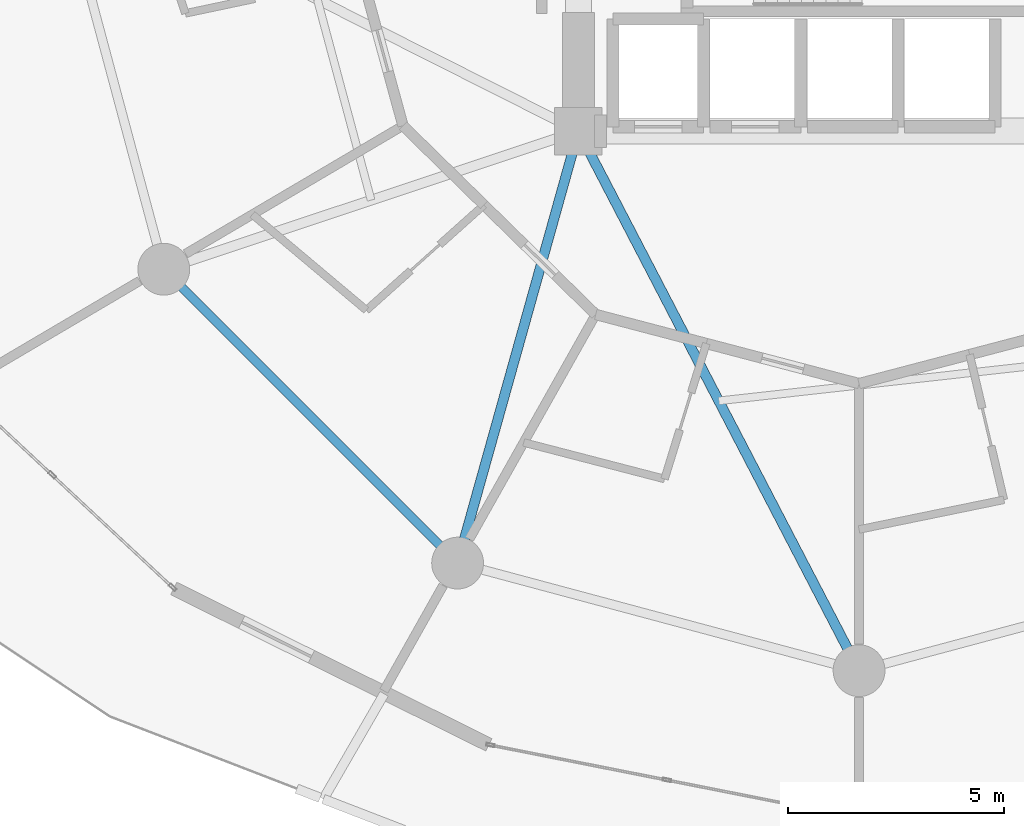
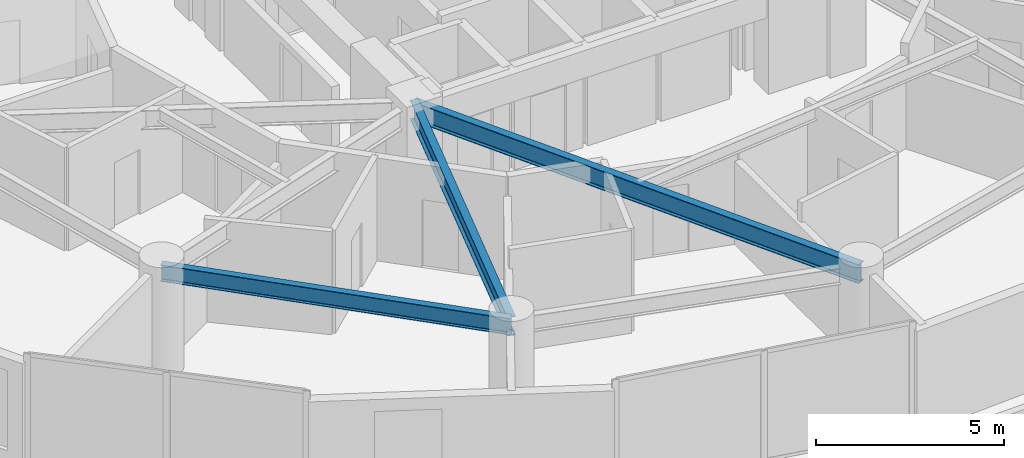
# One storey, part 4 of 25: 3 beams.
"""IFC4 building model written with IfcOpenShell, lengths in metres."""

from ifc_helpers import new_model, si_unit, direction, frame, origin, origin_2d, place, context, subcontext, project, spatial, i_section, extrude, material, material_profile, profile_set, type_object, element, save


model = new_model("IFC4")

# Units and contexts
model_context = context("Model", 3, precision=1e-05, world=origin(), true_north=direction((0.0, 1.0)))
body_context = subcontext(model_context, "Body", "Model", "MODEL_VIEW")
ifc_project = project(units=[si_unit("LENGTHUNIT", "METRE"), si_unit("AREAUNIT", "SQUARE_METRE"), si_unit("VOLUMEUNIT", "CUBIC_METRE"), si_unit("PLANEANGLEUNIT", "RADIAN"), si_unit("MASSUNIT", "GRAM", prefix="KILO")], contexts=[model_context])

# Site, building, storey
site_placement = place(None, origin())
site = spatial("IfcSite", under=ifc_project, at=site_placement, CompositionType="ELEMENT")
building_placement = place(site_placement, origin())
building = spatial("IfcBuilding", under=site, at=building_placement, Name="Solvirekh Grand Hotel", CompositionType="ELEMENT")
storey_placement = place(building_placement, frame((0.0, 0.0, 28.39990234375)))
storey = spatial("IfcBuildingStorey", under=building, at=storey_placement, Name="L05", CompositionType="ELEMENT", Elevation=28.39990234375)

# Beams
ifc_material = material(Name="Steel S355", Category="steel")
ifc_material_profile_1 = material_profile(ifc_material, i_section(OverallWidth=0.22802734375, OverallDepth=0.616943359375, WebThickness=0.012939453125, FlangeThickness=0.02001953125, FilletRadius=0.014892578125, at=origin_2d()), Name="W610X140")
ifc_profile_set_1 = profile_set([ifc_material_profile_1], Name="Steel S355")
beam_type_1 = type_object("IfcBeamType", Name="Beam_Radial_W610", PredefinedType="BEAM", material=ifc_profile_set_1)
beam_1_placement = place(storey_placement, frame((-6.5, -6.10009765625, 3.031005859375), z_axis=(-0.269439084681, -0.963017434757, 0.0), x_axis=(0.963017434757, -0.269439084681, 0.0)))
element("IfcBeam", 1, at=beam_1_placement, inside=storey, type_object=beam_type_1, Name="L05 radial floor beam R09", PredefinedType="BEAM", context=body_context, shape_type="SweptSolid", body=[
    extrude(i_section(OverallWidth=0.22802734375, OverallDepth=0.616943359375, WebThickness=0.012939453125, FlangeThickness=0.02001953125, FilletRadius=0.014892578125, at=origin_2d()), origin(), (0.0, 0.0, 1.0), 10.39208984375),
])
beam_2_placement = place(storey_placement, frame((-6.5, -6.10009765625, 3.031005859375), z_axis=(0.461352736642, -0.887216801235, 0.0), x_axis=(0.887216801235, 0.461352736642, 0.0)))
element("IfcBeam", 2, at=beam_2_placement, inside=storey, type_object=beam_type_1, Name="L05 radial floor beam R10", PredefinedType="BEAM", context=body_context, shape_type="SweptSolid", body=[
    extrude(i_section(OverallWidth=0.22802734375, OverallDepth=0.616943359375, WebThickness=0.012939453125, FlangeThickness=0.02001953125, FilletRadius=0.014892578125, at=origin_2d()), origin(), (0.0, 0.0, 1.0), 14.089111328125),
])
ifc_material_profile_2 = material_profile(ifc_material, i_section(OverallWidth=0.208984375, OverallDepth=0.532958984375, WebThickness=0.010009765625, FlangeThickness=0.014892578125, FilletRadius=0.013916015625, at=origin_2d()), Name="W530X92")
ifc_profile_set_2 = profile_set([ifc_material_profile_2], Name="Steel S355")
beam_type_2 = type_object("IfcBeamType", Name="Spandrel_Ring_W530", PredefinedType="SPANDREL", material=ifc_profile_set_2)
beam_3_placement = place(storey_placement, frame((-16.10791015625, -9.300048828125, 3.072998046875), z_axis=(0.707106781187, -0.707106781187, 0.0), x_axis=(0.707106781187, 0.707106781187, 0.0)))
element("IfcBeam", 3, at=beam_3_placement, inside=storey, type_object=beam_type_2, Name="L05 perimeter spandrel beam 8", PredefinedType="SPANDREL", context=body_context, shape_type="SweptSolid", body=[
    extrude(i_section(OverallWidth=0.208984375, OverallDepth=0.532958984375, WebThickness=0.010009765625, FlangeThickness=0.014892578125, FilletRadius=0.013916015625, at=origin_2d()), origin(), (0.0, 0.0, 1.0), 9.627685546875),
])

save(model, "model.ifc")
